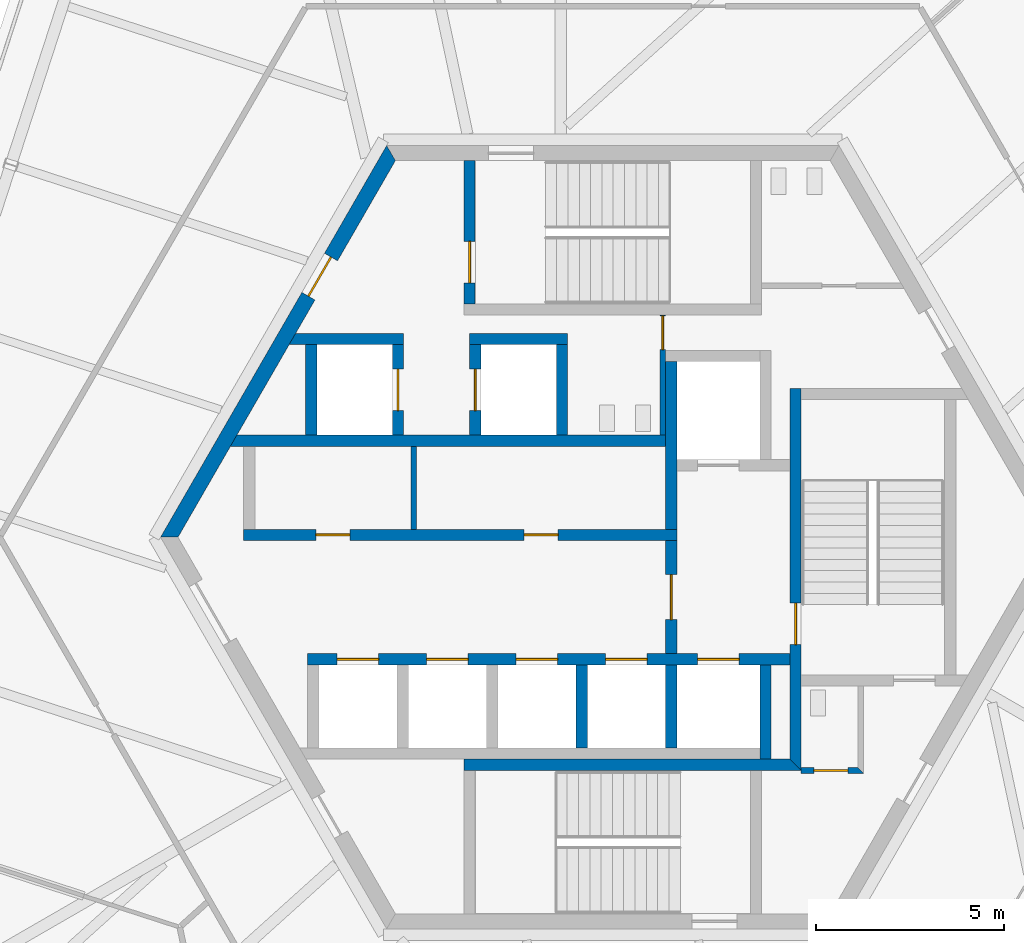
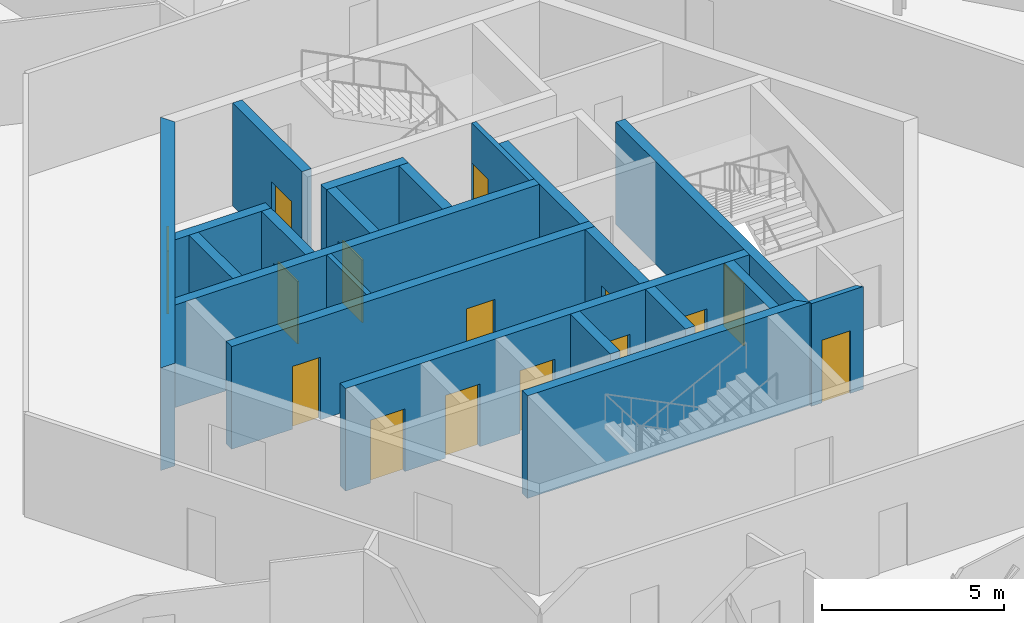
# One storey, part 11 of 17: 21 walls, 15 doors, 15 openings.
"""IFC4 building model written with IfcOpenShell, lengths in metres."""

import ifcopenshell
import ifcopenshell.guid

model = None  # the IFC model being written
_history = None  # IfcOwnerHistory: only IFC2X3 demands one
_inside = {}  # id of a spatial element -> (the spatial element, [elements in it])
_under = {}  # id of a project, library or spatial element -> (it, [spatial elements below it])
_declared = {}  # id of a project -> (the project, [libraries it declares])
_typed = {}  # id of a type object -> (the type object, [elements of that type])
_made_of = {}  # id of a material, layer set ... -> (it, [elements and type objects made of it])


def new_model(schema):
    """Start an empty IFC model of exactly this schema.

    Asked for "IFC4X3", IfcOpenShell would pick the latest addendum, in which some entities
    have other attributes; the version numbers below select the first issue.
    IFC2X3 requires an IfcOwnerHistory on every rooted entity: one is made here for all.
    """
    global model, _history
    if schema == "IFC4X3":
        model = ifcopenshell.file(schema_version=(4, 3, 0, 0))
    else:
        model = ifcopenshell.file(schema=schema)
    _inside.clear()
    _under.clear()
    _declared.clear()
    _typed.clear()
    _made_of.clear()
    _history = None
    if model.schema == "IFC2X3":
        org = make("IfcOrganization", Name="unknown")
        user = make(
            "IfcPersonAndOrganization",
            ThePerson=make("IfcPerson", FamilyName="unknown"),
            TheOrganization=org,
        )
        app = make(
            "IfcApplication",
            ApplicationDeveloper=org,
            Version="unknown",
            ApplicationFullName="unknown",
            ApplicationIdentifier="unknown",
        )
        _history = make(
            "IfcOwnerHistory",
            OwningUser=user,
            OwningApplication=app,
            ChangeAction="ADDED",
            CreationDate=0,
        )
    return model


def make(cls, **values):
    """One entity of the class cls with the attributes given. An attribute that is None is left unset."""
    return model.create_entity(
        cls, **{name: value for name, value in values.items() if value is not None}
    )


def rooted(cls, **values):
    """An entity with a GlobalId (a new one), such as an element, a storey or a relation."""
    return make(cls, GlobalId=ifcopenshell.guid.new(), OwnerHistory=_history, **values)


def si_unit(unit_type, name, prefix=None):
    """IfcSIUnit, for example si_unit("LENGTHUNIT", "METRE", prefix="MILLI")."""
    return make("IfcSIUnit", UnitType=unit_type, Prefix=prefix, Name=name)


def assignment(units):
    """IfcUnitAssignment: the units of a project."""
    return None if units is None else make("IfcUnitAssignment", Units=units)


def point(xyz):
    """IfcCartesianPoint."""
    return None if xyz is None else make("IfcCartesianPoint", Coordinates=xyz)


def direction(xyz):
    """IfcDirection."""
    return None if xyz is None else make("IfcDirection", DirectionRatios=xyz)


def frame(location, z_axis=None, x_axis=None):
    """IfcAxis2Placement3D, a coordinate frame: its origin and axes. An axis left out is left unset."""
    return make(
        "IfcAxis2Placement3D",
        Location=point(location),
        Axis=direction(z_axis),
        RefDirection=direction(x_axis),
    )


def frame_2d(location, x_axis=None):
    """IfcAxis2Placement2D, a coordinate frame in the plane: its origin and x axis."""
    return make(
        "IfcAxis2Placement2D", Location=point(location), RefDirection=direction(x_axis)
    )


def origin():
    """The frame at (0, 0, 0) with its axes left unset."""
    return frame((0.0, 0.0, 0.0))


def place(relative_to, where):
    """IfcLocalPlacement: puts the frame where relative to a parent placement (None: the world)."""
    return make(
        "IfcLocalPlacement", PlacementRelTo=relative_to, RelativePlacement=where
    )


def context(
    kind, dimensions, precision=None, world=None, true_north=None, identifier=None
):
    """IfcGeometricRepresentationContext, for example the 3D "Model" context."""
    return make(
        "IfcGeometricRepresentationContext",
        ContextIdentifier=identifier,
        ContextType=kind,
        CoordinateSpaceDimension=dimensions,
        Precision=precision,
        WorldCoordinateSystem=world,
        TrueNorth=true_north,
    )


def subcontext(parent, identifier, kind, view, scale=None):
    """IfcGeometricRepresentationSubContext, for example "Body" below "Model"."""
    return make(
        "IfcGeometricRepresentationSubContext",
        ContextIdentifier=identifier,
        ContextType=kind,
        ParentContext=parent,
        TargetScale=scale,
        TargetView=view,
    )


def project(units=None, contexts=None):
    """IfcProject with its units and contexts."""
    return rooted(
        "IfcProject",
        Name="project",
        RepresentationContexts=contexts,
        UnitsInContext=assignment(units),
    )


def spatial(cls, under=None, at=None, **own):
    """A site, building, storey or space (cls), placed at a placement, below another one or the project."""
    s = rooted(cls, ObjectPlacement=at, **own)
    if under is not None:
        _under.setdefault(under.id(), (under, []))[1].append(s)
    return s


def polyline(points):
    """IfcPolyline through the points."""
    return make("IfcPolyline", Points=[point(p) for p in points])


def profile(cls, at=None, kind="AREA", **sizes):
    """A parametric profile (cls). Its sizes go by their IFC names, for example OverallWidth=200.0."""
    return make(cls, ProfileType=kind, Position=at, **sizes)


def rectangle(**sizes):
    """IfcRectangleProfileDef."""
    return profile("IfcRectangleProfileDef", **sizes)


def outline(outer, holes=None, kind="AREA"):
    """IfcArbitraryClosedProfileDef: a profile drawn as a closed curve; with holes, ...WithVoids."""
    if holes is None:
        return make("IfcArbitraryClosedProfileDef", ProfileType=kind, OuterCurve=outer)
    return make(
        "IfcArbitraryProfileDefWithVoids",
        ProfileType=kind,
        OuterCurve=outer,
        InnerCurves=holes,
    )


def extrude(swept, where, along, depth):
    """IfcExtrudedAreaSolid: the profile swept, set in the frame where, extruded along a direction by depth."""
    return make(
        "IfcExtrudedAreaSolid",
        SweptArea=swept,
        Position=where,
        ExtrudedDirection=direction(along),
        Depth=depth,
    )


def shape(context_of_items, identifier, shape_type, items):
    """IfcShapeRepresentation: the items that make up one representation, for example the "Body"."""
    return make(
        "IfcShapeRepresentation",
        ContextOfItems=context_of_items,
        RepresentationIdentifier=identifier,
        RepresentationType=shape_type,
        Items=items,
    )


def source(mapping_origin, context_of_items, identifier, shape_type, items):
    """IfcRepresentationMap: a shape defined once, which mapped items show again and again."""
    return make(
        "IfcRepresentationMap",
        MappingOrigin=mapping_origin,
        MappedRepresentation=shape(context_of_items, identifier, shape_type, items),
    )


def transform(
    local_origin,
    x_axis=None,
    y_axis=None,
    z_axis=None,
    scale=None,
    scale2=None,
    scale3=None,
    uniform=True,
):
    """IfcCartesianTransformationOperator3D, or its non-uniform kind. x_axis, y_axis, z_axis: its Axis1, 2, 3."""
    if uniform:
        return make(
            "IfcCartesianTransformationOperator3D",
            Axis1=direction(x_axis),
            Axis2=direction(y_axis),
            LocalOrigin=point(local_origin),
            Scale=scale,
            Axis3=direction(z_axis),
        )
    return make(
        "IfcCartesianTransformationOperator3DnonUniform",
        Axis1=direction(x_axis),
        Axis2=direction(y_axis),
        LocalOrigin=point(local_origin),
        Scale=scale,
        Axis3=direction(z_axis),
        Scale2=scale2,
        Scale3=scale3,
    )


def mapped(mapping_source, mapping_target):
    """IfcMappedItem: shows the shape of a source again, moved by a transform."""
    return make(
        "IfcMappedItem", MappingSource=mapping_source, MappingTarget=mapping_target
    )


def material(Name=None, Category=None):
    """IfcMaterial."""
    return make("IfcMaterial", Name=Name, Category=Category)


def layer(
    of_material, thickness, ventilated=None, Name=None, Category=None, Priority=None
):
    """IfcMaterialLayer: one layer of a wall or slab, of a material (None: an air gap)."""
    return make(
        "IfcMaterialLayer",
        Material=of_material,
        LayerThickness=thickness,
        IsVentilated=ventilated,
        Name=Name,
        Category=Category,
        Priority=Priority,
    )


def layer_set(layers, Name=None):
    """IfcMaterialLayerSet."""
    return make("IfcMaterialLayerSet", MaterialLayers=layers, LayerSetName=Name)


def made_of(thing, what):
    """Note that an element or type object is made of a material, layer set ...; save() writes the relation."""
    if what is not None:
        _made_of.setdefault(what.id(), (what, []))[1].append(thing)
    return thing


def type_object(cls, material=None, **own):
    """A type object (cls), such as IfcWallType, which elements share."""
    return made_of(rooted(cls, **own), material)


def element(
    cls,
    number,
    at=None,
    inside=None,
    cuts=None,
    type_object=None,
    material=None,
    context=None,
    identifier="Body",
    shape_type=None,
    held_by="IfcProductDefinitionShape",
    body=None,
    shapes=None,
    **own,
):
    """One element of the class cls, such as IfcWall. Its Tag is "e" and its number.

    at: its placement. inside: the storey or other place that contains it. cuts: it is an
    opening in that element (IfcRelVoidsElement). A single representation is given by context,
    identifier, shape_type and body (its items); several are given by shapes. held_by: the class
    of the entity that holds the representations. save() writes the other relations.
    """
    e = rooted(cls, Tag="e%d" % number, ObjectPlacement=at, **own)
    if body is not None:
        shapes = [shape(context, identifier, shape_type, body)]
    if shapes is not None:
        e.Representation = make(held_by, Representations=shapes)
    if inside is not None:
        _inside.setdefault(inside.id(), (inside, []))[1].append(e)
    if cuts is not None:
        rooted(
            "IfcRelVoidsElement", RelatingBuildingElement=cuts, RelatedOpeningElement=e
        )
    if type_object is not None:
        _typed.setdefault(type_object.id(), (type_object, []))[1].append(e)
    return made_of(e, material)


def fill(opening, filler):
    """IfcRelFillsElement: the door or window that sits in an opening."""
    return rooted(
        "IfcRelFillsElement",
        RelatingOpeningElement=opening,
        RelatedBuildingElement=filler,
    )


def aggregate(whole, parts):
    """IfcRelAggregates: a whole, such as a stair, and the parts it consists of."""
    return rooted("IfcRelAggregates", RelatingObject=whole, RelatedObjects=parts)


def save(model, path):
    """Write the relations noted so far, then the file.

    IfcRelAggregates (storeys below a building ...), IfcRelContainedInSpatialStructure (elements
    in a storey), IfcRelDefinesByType, IfcRelAssociatesMaterial and IfcRelDeclares: one each for
    every whole, place, type object, material and project.
    """
    for whole, parts in _under.values():
        aggregate(whole, parts)
    for where, things in _inside.values():
        rooted(
            "IfcRelContainedInSpatialStructure",
            RelatedElements=things,
            RelatingStructure=where,
        )
    for kind, things in _typed.values():
        rooted("IfcRelDefinesByType", RelatedObjects=things, RelatingType=kind)
    for what, things in _made_of.values():
        rooted("IfcRelAssociatesMaterial", RelatedObjects=things, RelatingMaterial=what)
    for by, libraries in _declared.values():
        rooted("IfcRelDeclares", RelatingContext=by, RelatedDefinitions=libraries)
    model.write(path)


model = new_model("IFC4")

# Units and contexts
model_context = context("Model", 3, precision=1e-05, world=origin(), true_north=direction((0.0, 1.0)))
body_context = subcontext(model_context, "Body", "Model", "MODEL_VIEW")
ifc_project = project(units=[si_unit("LENGTHUNIT", "METRE"), si_unit("AREAUNIT", "SQUARE_METRE"), si_unit("VOLUMEUNIT", "CUBIC_METRE"), si_unit("PLANEANGLEUNIT", "RADIAN"), si_unit("MASSUNIT", "GRAM", prefix="KILO")], contexts=[model_context])

# Site, building, storey
site_placement = place(None, origin())
site = spatial("IfcSite", under=ifc_project, at=site_placement, CompositionType="ELEMENT")
building_placement = place(site_placement, origin())
building = spatial("IfcBuilding", under=site, at=building_placement, Name="Triune Harvest Tower", CompositionType="ELEMENT")
storey_placement = place(building_placement, frame((0.0, 0.0, 273.89990234375)))
storey = spatial("IfcBuildingStorey", under=building, at=storey_placement, Name="L72", CompositionType="ELEMENT", Elevation=273.89990234375)

# Wall, opening, door
ifc_material_1 = material(Name="Concrete 70 MPa", Category="concrete")
ifc_layer_1 = layer(ifc_material_1, 0.39990234375)
ifc_layer_set_1 = layer_set([ifc_layer_1], Name="Concrete 70 MPa")
wall_type_1 = type_object("IfcWallType", Name="Core wall 400", PredefinedType="SHEAR", material=ifc_layer_set_1)
shared_shape_1 = source(origin(), body_context, "Body", "SweptSolid", [
    extrude(outline(polyline([(-0.115478515625, -0.199951171875), (11.884521484375, -0.199951171875), (11.653564453125, 0.199951171875), (0.115478515625, 0.199951171875), (-0.115478515625, -0.199951171875)])), origin(), (0.0, 0.0, 1.0), 3.440185546875),
])
wall_1_placement = place(storey_placement, frame((-5.884521484375, 10.1923828125, 0.0), z_axis=(0.0, 0.0, 1.0), x_axis=(-0.499996592174, -0.866027371285, 0.0)))
wall_1 = element("IfcWall", 1, at=wall_1_placement, inside=storey, type_object=wall_type_1, Name="Hexagon 2 wall", PredefinedType="SHEAR", context=body_context, shape_type="MappedRepresentation", body=[
    mapped(shared_shape_1, transform((0.0, 0.0, 0.0), scale=1.0)),
])
opening_1_placement = place(wall_1_placement, frame((3.1845703125, 0.0, 0.0)))
opening_1 = element("IfcOpeningElement", 2, at=opening_1_placement, cuts=wall_1, Name="Opening CD-SVP", PredefinedType="OPENING", context=body_context, shape_type="SweptSolid", body=[
    extrude(rectangle(XDim=1.199951171875, YDim=2.10009765625, at=frame_2d((0.60009765625, 1.050048828125))), frame((0.0, 0.2099609375, 0.0), z_axis=(0.0, -1.0, 0.0), x_axis=(1.0, 0.0, 0.0)), (0.0, 0.0, 1.0), 0.419921875),
])
ifc_material_2 = material(Name="Steel S235", Category="steel")
door_type_1 = type_object("IfcDoorType", Name="Service door 1200 FD120", OperationType="SINGLE_SWING_LEFT", PredefinedType="DOOR", material=ifc_material_2)
door_1_placement = place(opening_1_placement, frame((1.199951171875, 0.0, 0.0), z_axis=(0.0, 0.0, 1.0), x_axis=(-1.0, 0.0, 0.0)))
door_1 = element("IfcDoor", 3, at=door_1_placement, inside=storey, type_object=door_type_1, Name="Door CD-SVP", OperationType="SINGLE_SWING_RIGHT", OverallHeight=2.10009765625, OverallWidth=1.199951171875, PredefinedType="DOOR", context=body_context, shape_type="SweptSolid", body=[
    extrude(rectangle(XDim=1.199951171875, YDim=2.10009765625, at=frame_2d((0.60009765625, 1.050048828125))), frame((0.0, 0.02490234375, 0.0), z_axis=(0.0, -1.0, 0.0), x_axis=(1.0, 0.0, 0.0)), (0.0, 0.0, 1.0), 0.050048828125),
])
fill(opening_1, door_1)

# Wall, openings, doors
ifc_material_3 = material(Name="Concrete 70 MPa", Category="concrete")
ifc_layer_2 = layer(ifc_material_3, 0.300048828125)
ifc_layer_set_2 = layer_set([ifc_layer_2], Name="Concrete 70 MPa")
wall_type_2 = type_object("IfcWallType", Name="Core wall 300", PredefinedType="SHEAR", material=ifc_layer_set_2)
shared_shape_2 = source(origin(), body_context, "Body", "SweptSolid", [
    extrude(rectangle(XDim=11.5, YDim=0.300048828125, at=frame_2d((5.75, 0.0))), origin(), (0.0, 0.0, 1.0), 3.440185546875),
])
wall_2_placement = place(storey_placement, frame((-9.800048828125, 0.06005859375, 0.0), z_axis=(0.0, 0.0, 1.0), x_axis=(1.0, 0.0, 0.0)))
wall_2 = element("IfcWall", 4, at=wall_2_placement, inside=storey, type_object=wall_type_2, Name="North front wall", PredefinedType="SHEAR", context=body_context, shape_type="MappedRepresentation", body=[
    mapped(shared_shape_2, transform((0.0, 0.0, 0.0), scale=1.0)),
])
opening_2_placement = place(wall_2_placement, frame((1.922607421875, 0.0, 0.0)))
opening_2 = element("IfcOpeningElement", 5, at=opening_2_placement, cuts=wall_2, Name="Opening CD-RN1", PredefinedType="OPENING", context=body_context, shape_type="SweptSolid", body=[
    extrude(rectangle(XDim=0.89990234375, YDim=2.10009765625, at=frame_2d((0.449951171875, 1.050048828125))), frame((0.0, 0.16015625, 0.0), z_axis=(0.0, -1.0, 0.0), x_axis=(1.0, 0.0, 0.0)), (0.0, 0.0, 1.0), 0.320068359375),
])
opening_3_placement = place(wall_2_placement, frame((7.447509765625, 0.0, 0.0)))
opening_3 = element("IfcOpeningElement", 6, at=opening_3_placement, cuts=wall_2, Name="Opening CD-RN2", PredefinedType="OPENING", context=body_context, shape_type="SweptSolid", body=[
    extrude(rectangle(XDim=0.89990234375, YDim=2.10009765625, at=frame_2d((0.449951171875, 1.050048828125))), frame((0.0, 0.16015625, 0.0), z_axis=(0.0, -1.0, 0.0), x_axis=(1.0, 0.0, 0.0)), (0.0, 0.0, 1.0), 0.320068359375),
])
ifc_material_4 = material(Name="Steel S235", Category="steel")
door_type_2 = type_object("IfcDoorType", Name="Riser door 900 FD120", OperationType="SINGLE_SWING_LEFT", PredefinedType="DOOR", material=ifc_material_4)
door_2_placement = place(opening_2_placement, frame((0.89990234375, 0.0, 0.0), z_axis=(0.0, 0.0, 1.0), x_axis=(-1.0, 0.0, 0.0)))
door_2 = element("IfcDoor", 7, at=door_2_placement, inside=storey, type_object=door_type_2, Name="Door CD-RN1", OperationType="SINGLE_SWING_RIGHT", OverallHeight=2.10009765625, OverallWidth=0.89990234375, PredefinedType="DOOR", context=body_context, shape_type="SweptSolid", body=[
    extrude(rectangle(XDim=0.89990234375, YDim=2.10009765625, at=frame_2d((0.449951171875, 1.050048828125))), frame((0.0, 0.02490234375, 0.0), z_axis=(0.0, -1.0, 0.0), x_axis=(1.0, 0.0, 0.0)), (0.0, 0.0, 1.0), 0.050048828125),
])
fill(opening_2, door_2)
door_3_placement = place(opening_3_placement, frame((0.89990234375, 0.0, 0.0), z_axis=(0.0, 0.0, 1.0), x_axis=(-1.0, 0.0, 0.0)))
door_3 = element("IfcDoor", 8, at=door_3_placement, inside=storey, type_object=door_type_2, Name="Door CD-RN2", OperationType="SINGLE_SWING_RIGHT", OverallHeight=2.10009765625, OverallWidth=0.89990234375, PredefinedType="DOOR", context=body_context, shape_type="SweptSolid", body=[
    extrude(rectangle(XDim=0.89990234375, YDim=2.10009765625, at=frame_2d((0.449951171875, 1.050048828125))), frame((0.0, 0.02490234375, 0.0), z_axis=(0.0, -1.0, 0.0), x_axis=(1.0, 0.0, 0.0)), (0.0, 0.0, 1.0), 0.050048828125),
])
fill(opening_3, door_3)

# Walls
shared_shape_3 = source(origin(), body_context, "Body", "SweptSolid", [
    extrude(outline(polyline([(11.199951171875, -0.14990234375), (-0.34912109375, -0.14990234375), (-0.17578125, 0.14990234375), (11.199951171875, 0.14990234375), (11.199951171875, -0.14990234375)])), origin(), (0.0, 0.0, 1.0), 3.440185546875),
])
wall_3_placement = place(storey_placement, frame((-9.800048828125, 2.56005859375, 0.0), z_axis=(0.0, 0.0, 1.0), x_axis=(1.0, 0.0, 0.0)))
element("IfcWall", 9, at=wall_3_placement, inside=storey, type_object=wall_type_2, Name="North back wall", PredefinedType="SHEAR", context=body_context, shape_type="MappedRepresentation", body=[
    mapped(shared_shape_3, transform((0.0, 0.0, 0.0), scale=1.0)),
])
shared_shape_4 = source(origin(), body_context, "Body", "SweptSolid", [
    extrude(rectangle(XDim=2.5, YDim=0.300048828125, at=frame_2d((1.25, 0.0))), origin(), (0.0, 0.0, 1.0), 3.440185546875),
])
wall_4_placement = place(storey_placement, frame((4.050048828125, -5.889892578125, 0.0), z_axis=(0.0, 0.0, 1.0), x_axis=(0.0, 1.0, 0.0)))
element("IfcWall", 10, at=wall_4_placement, inside=storey, type_object=wall_type_2, Name="Ff2 east wall", PredefinedType="SHEAR", context=body_context, shape_type="MappedRepresentation", body=[
    mapped(shared_shape_4, transform((0.0, 0.0, 0.0), scale=1.0)),
])
shared_shape_5 = source(origin(), body_context, "Body", "SweptSolid", [
    extrude(rectangle(XDim=4.449951171875, YDim=0.300048828125, at=frame_2d((2.22509765625, 0.0))), origin(), (0.0, 0.0, 1.0), 3.440185546875),
])
wall_5_placement = place(storey_placement, frame((1.550048828125, 0.2099609375, 0.0), z_axis=(0.0, 0.0, 1.0), x_axis=(0.0, 1.0, 0.0)))
element("IfcWall", 11, at=wall_5_placement, inside=storey, type_object=wall_type_2, Name="Ff1 west wall", PredefinedType="SHEAR", context=body_context, shape_type="MappedRepresentation", body=[
    mapped(shared_shape_5, transform((0.0, 0.0, 0.0), scale=1.0)),
])

# Wall, opening, door
shared_shape_6 = source(origin(), body_context, "Body", "SweptSolid", [
    extrude(rectangle(XDim=3.0, YDim=0.300048828125, at=frame_2d((1.5, 0.0))), origin(), (0.0, 0.0, 1.0), 3.440185546875),
])
wall_6_placement = place(storey_placement, frame((1.550048828125, -3.090087890625, 0.0), z_axis=(0.0, 0.0, 1.0), x_axis=(0.0, 1.0, 0.0)))
wall_6 = element("IfcWall", 12, at=wall_6_placement, inside=storey, type_object=wall_type_2, Name="Ff lobby west wall", PredefinedType="SHEAR", context=body_context, shape_type="MappedRepresentation", body=[
    mapped(shared_shape_6, transform((0.0, 0.0, 0.0), scale=1.0)),
])
opening_4_placement = place(wall_6_placement, frame((0.89990234375, 0.0, 0.0)))
opening_4 = element("IfcOpeningElement", 13, at=opening_4_placement, cuts=wall_6, Name="Opening CD-FL", PredefinedType="OPENING", context=body_context, shape_type="SweptSolid", body=[
    extrude(rectangle(XDim=1.199951171875, YDim=2.10009765625, at=frame_2d((0.60009765625, 1.050048828125))), frame((0.0, 0.16015625, 0.0), z_axis=(0.0, -1.0, 0.0), x_axis=(1.0, 0.0, 0.0)), (0.0, 0.0, 1.0), 0.320068359375),
])
ifc_material_5 = material(Name="Steel S235", Category="steel")
door_type_3 = type_object("IfcDoorType", Name="Firefighters' lobby door 1200 FD120", OperationType="SINGLE_SWING_LEFT", PredefinedType="DOOR", material=ifc_material_5)
door_4_placement = place(opening_4_placement, frame((1.199951171875, 0.0, 0.0), z_axis=(0.0, 0.0, 1.0), x_axis=(-1.0, 0.0, 0.0)))
door_4 = element("IfcDoor", 14, at=door_4_placement, inside=storey, type_object=door_type_3, Name="Door CD-FL", OperationType="SINGLE_SWING_RIGHT", OverallHeight=2.10009765625, OverallWidth=1.199951171875, PredefinedType="DOOR", context=body_context, shape_type="SweptSolid", body=[
    extrude(rectangle(XDim=1.199951171875, YDim=2.10009765625, at=frame_2d((0.60009765625, 1.050048828125))), frame((0.0, 0.02490234375, 0.0), z_axis=(0.0, -1.0, 0.0), x_axis=(1.0, 0.0, 0.0)), (0.0, 0.0, 1.0), 0.050048828125),
])
fill(opening_4, door_4)

# Wall, openings, doors
shared_shape_7 = source(origin(), body_context, "Body", "SweptSolid", [
    extrude(rectangle(XDim=12.800048828125, YDim=0.300048828125, at=frame_2d((6.39990234375, 0.0))), origin(), (0.0, 0.0, 1.0), 3.440185546875),
])
wall_7_placement = place(storey_placement, frame((-8.10009765625, -3.239990234375, 0.0), z_axis=(0.0, 0.0, 1.0), x_axis=(1.0, 0.0, 0.0)))
wall_7 = element("IfcWall", 15, at=wall_7_placement, inside=storey, type_object=wall_type_2, Name="South front wall", PredefinedType="SHEAR", context=body_context, shape_type="MappedRepresentation", body=[
    mapped(shared_shape_7, transform((0.0, 0.0, 0.0), scale=1.0)),
])
opening_5_placement = place(wall_7_placement, frame((0.78759765625, 0.0, 0.0)))
opening_5 = element("IfcOpeningElement", 16, at=opening_5_placement, cuts=wall_7, Name="Opening LD-HR1-72", PredefinedType="OPENING", context=body_context, shape_type="SweptSolid", body=[
    extrude(rectangle(XDim=1.10009765625, YDim=2.10009765625, at=frame_2d((0.550048828125, 1.050048828125))), frame((0.0, 0.16015625, 0.0), z_axis=(0.0, -1.0, 0.0), x_axis=(1.0, 0.0, 0.0)), (0.0, 0.0, 1.0), 0.320068359375),
])
opening_6_placement = place(wall_7_placement, frame((3.16259765625, 0.0, 0.0)))
opening_6 = element("IfcOpeningElement", 17, at=opening_6_placement, cuts=wall_7, Name="Opening LD-HR2-72", PredefinedType="OPENING", context=body_context, shape_type="SweptSolid", body=[
    extrude(rectangle(XDim=1.10009765625, YDim=2.10009765625, at=frame_2d((0.550048828125, 1.050048828125))), frame((0.0, 0.16015625, 0.0), z_axis=(0.0, -1.0, 0.0), x_axis=(1.0, 0.0, 0.0)), (0.0, 0.0, 1.0), 0.320068359375),
])
opening_7_placement = place(wall_7_placement, frame((5.53759765625, 0.0, 0.0)))
opening_7 = element("IfcOpeningElement", 18, at=opening_7_placement, cuts=wall_7, Name="Opening LD-HR3-72", PredefinedType="OPENING", context=body_context, shape_type="SweptSolid", body=[
    extrude(rectangle(XDim=1.10009765625, YDim=2.10009765625, at=frame_2d((0.550048828125, 1.050048828125))), frame((0.0, 0.16015625, 0.0), z_axis=(0.0, -1.0, 0.0), x_axis=(1.0, 0.0, 0.0)), (0.0, 0.0, 1.0), 0.320068359375),
])
opening_8_placement = place(wall_7_placement, frame((7.91259765625, 0.0, 0.0)))
opening_8 = element("IfcOpeningElement", 19, at=opening_8_placement, cuts=wall_7, Name="Opening LD-HR4-72", PredefinedType="OPENING", context=body_context, shape_type="SweptSolid", body=[
    extrude(rectangle(XDim=1.10009765625, YDim=2.10009765625, at=frame_2d((0.550048828125, 1.050048828125))), frame((0.0, 0.16015625, 0.0), z_axis=(0.0, -1.0, 0.0), x_axis=(1.0, 0.0, 0.0)), (0.0, 0.0, 1.0), 0.320068359375),
])
opening_9_placement = place(wall_7_placement, frame((10.35009765625, 0.0, 0.0)))
opening_9 = element("IfcOpeningElement", 20, at=opening_9_placement, cuts=wall_7, Name="Opening LD-FF2-72", PredefinedType="OPENING", context=body_context, shape_type="SweptSolid", body=[
    extrude(rectangle(XDim=1.10009765625, YDim=2.10009765625, at=frame_2d((0.550048828125, 1.050048828125))), frame((0.0, 0.16015625, 0.0), z_axis=(0.0, -1.0, 0.0), x_axis=(1.0, 0.0, 0.0)), (0.0, 0.0, 1.0), 0.320068359375),
])
ifc_material_6 = material(Name="Stainless steel AISI 304", Category="steel")
door_type_4 = type_object("IfcDoorType", Name="Landing door 1100 x 2100", OperationType="DOUBLE_DOOR_SLIDING", PredefinedType="DOOR", material=ifc_material_6)
door_5_placement = place(opening_5_placement, origin())
door_5 = element("IfcDoor", 21, at=door_5_placement, inside=storey, type_object=door_type_4, Name="Door LD-HR1-72", OperationType="DOUBLE_DOOR_SLIDING", OverallHeight=2.10009765625, OverallWidth=1.10009765625, PredefinedType="DOOR", context=body_context, shape_type="SweptSolid", body=[
    extrude(rectangle(XDim=1.10009765625, YDim=2.10009765625, at=frame_2d((0.550048828125, 1.050048828125))), frame((0.0, 0.02490234375, 0.0), z_axis=(0.0, -1.0, 0.0), x_axis=(1.0, 0.0, 0.0)), (0.0, 0.0, 1.0), 0.050048828125),
])
fill(opening_5, door_5)
door_6_placement = place(opening_6_placement, origin())
door_6 = element("IfcDoor", 22, at=door_6_placement, inside=storey, type_object=door_type_4, Name="Door LD-HR2-72", OperationType="DOUBLE_DOOR_SLIDING", OverallHeight=2.10009765625, OverallWidth=1.10009765625, PredefinedType="DOOR", context=body_context, shape_type="SweptSolid", body=[
    extrude(rectangle(XDim=1.10009765625, YDim=2.10009765625, at=frame_2d((0.550048828125, 1.050048828125))), frame((0.0, 0.02490234375, 0.0), z_axis=(0.0, -1.0, 0.0), x_axis=(1.0, 0.0, 0.0)), (0.0, 0.0, 1.0), 0.050048828125),
])
fill(opening_6, door_6)
door_7_placement = place(opening_7_placement, origin())
door_7 = element("IfcDoor", 23, at=door_7_placement, inside=storey, type_object=door_type_4, Name="Door LD-HR3-72", OperationType="DOUBLE_DOOR_SLIDING", OverallHeight=2.10009765625, OverallWidth=1.10009765625, PredefinedType="DOOR", context=body_context, shape_type="SweptSolid", body=[
    extrude(rectangle(XDim=1.10009765625, YDim=2.10009765625, at=frame_2d((0.550048828125, 1.050048828125))), frame((0.0, 0.02490234375, 0.0), z_axis=(0.0, -1.0, 0.0), x_axis=(1.0, 0.0, 0.0)), (0.0, 0.0, 1.0), 0.050048828125),
])
fill(opening_7, door_7)
door_8_placement = place(opening_8_placement, origin())
door_8 = element("IfcDoor", 24, at=door_8_placement, inside=storey, type_object=door_type_4, Name="Door LD-HR4-72", OperationType="DOUBLE_DOOR_SLIDING", OverallHeight=2.10009765625, OverallWidth=1.10009765625, PredefinedType="DOOR", context=body_context, shape_type="SweptSolid", body=[
    extrude(rectangle(XDim=1.10009765625, YDim=2.10009765625, at=frame_2d((0.550048828125, 1.050048828125))), frame((0.0, 0.02490234375, 0.0), z_axis=(0.0, -1.0, 0.0), x_axis=(1.0, 0.0, 0.0)), (0.0, 0.0, 1.0), 0.050048828125),
])
fill(opening_8, door_8)
door_9_placement = place(opening_9_placement, origin())
door_9 = element("IfcDoor", 25, at=door_9_placement, inside=storey, type_object=door_type_4, Name="Door LD-FF2-72", OperationType="DOUBLE_DOOR_SLIDING", OverallHeight=2.10009765625, OverallWidth=1.10009765625, PredefinedType="DOOR", context=body_context, shape_type="SweptSolid", body=[
    extrude(rectangle(XDim=1.10009765625, YDim=2.10009765625, at=frame_2d((0.550048828125, 1.050048828125))), frame((0.0, 0.02490234375, 0.0), z_axis=(0.0, -1.0, 0.0), x_axis=(1.0, 0.0, 0.0)), (0.0, 0.0, 1.0), 0.050048828125),
])
fill(opening_9, door_9)

# Walls
shared_shape_8 = source(origin(), body_context, "Body", "SweptSolid", [
    extrude(rectangle(XDim=2.2001953125, YDim=0.300048828125, at=frame_2d((1.10009765625, 0.0))), origin(), (0.0, 0.0, 1.0), 3.440185546875),
])
for number, where, z_axis, x_axis, name in (
    (26, (1.550048828125, -5.590087890625, 0.0), (0.0, 0.0, 1.0), (0.0, 1.0, 0.0), "Ff2 west wall"),
    (27, (-0.824951171875, -5.590087890625, 0.0), (0.0, 0.0, 1.0), (0.0, 1.0, 0.0), "South cross 3 wall"),
):
    element("IfcWall", number, at=place(storey_placement, frame(where, z_axis=z_axis, x_axis=x_axis)), inside=storey, type_object=wall_type_2, Name=name, PredefinedType="SHEAR", context=body_context, shape_type="MappedRepresentation", body=[
        mapped(shared_shape_8, transform((0.0, 0.0, 0.0), scale=1.0)),
    ])

# Wall, opening, door
shared_shape_9 = source(origin(), body_context, "Body", "SweptSolid", [
    extrude(outline(polyline([(-0.14990234375, -0.14990234375), (9.989990234375, -0.14990234375), (9.989990234375, 0.14990234375), (0.14990234375, 0.14990234375), (-0.14990234375, -0.14990234375)])), origin(), (0.0, 0.0, 1.0), 3.440185546875),
])
wall_8_placement = place(storey_placement, frame((4.85009765625, -6.0400390625, 0.0), z_axis=(0.0, 0.0, 1.0), x_axis=(0.0, 1.0, 0.0)))
wall_8 = element("IfcWall", 28, at=wall_8_placement, inside=storey, type_object=wall_type_2, Name="Stair e west wall", PredefinedType="SHEAR", context=body_context, shape_type="MappedRepresentation", body=[
    mapped(shared_shape_9, transform((0.0, 0.0, 0.0), scale=1.0)),
])
opening_10_placement = place(wall_8_placement, frame((3.18994140625, 0.0, 0.0)))
opening_10 = element("IfcOpeningElement", 29, at=opening_10_placement, cuts=wall_8, Name="Opening CD-S3L", PredefinedType="OPENING", context=body_context, shape_type="SweptSolid", body=[
    extrude(rectangle(XDim=1.10009765625, YDim=2.10009765625, at=frame_2d((0.550048828125, 1.050048828125))), frame((0.0, 0.16015625, 0.0), z_axis=(0.0, -1.0, 0.0), x_axis=(1.0, 0.0, 0.0)), (0.0, 0.0, 1.0), 0.320068359375),
])
ifc_material_7 = material(Name="Steel S235", Category="steel")
door_type_5 = type_object("IfcDoorType", Name="Stair door 1100 FD120", OperationType="SINGLE_SWING_LEFT", PredefinedType="DOOR", material=ifc_material_7)
door_10_placement = place(opening_10_placement, frame((1.10009765625, 0.0, 0.0), z_axis=(0.0, 0.0, 1.0), x_axis=(-1.0, 0.0, 0.0)))
door_10 = element("IfcDoor", 30, at=door_10_placement, inside=storey, type_object=door_type_5, Name="Door CD-S3L", OperationType="SINGLE_SWING_RIGHT", OverallHeight=2.10009765625, OverallWidth=1.10009765625, PredefinedType="DOOR", context=body_context, shape_type="SweptSolid", body=[
    extrude(rectangle(XDim=1.10009765625, YDim=2.10009765625, at=frame_2d((0.550048828125, 1.050048828125))), frame((0.0, 0.02490234375, 0.0), z_axis=(0.0, -1.0, 0.0), x_axis=(1.0, 0.0, 0.0)), (0.0, 0.0, 1.0), 0.050048828125),
])
fill(opening_10, door_10)

shared_shape_10 = source(origin(), body_context, "Body", "SweptSolid", [
    extrude(outline(polyline([(0.0, -0.14990234375), (0.0, 0.14990234375), (3.80419921875, 0.14990234375), (3.80419921875, -0.14990234375), (0.0, -0.14990234375)])), origin(), (0.0, 0.0, 1.0), 3.440185546875),
])
wall_9_placement = place(storey_placement, frame((-3.800048828125, 6.18994140625, 0.0), z_axis=(0.0, 0.0, 1.0), x_axis=(0.0, 1.0, 0.0)))
wall_9 = element("IfcWall", 31, at=wall_9_placement, inside=storey, type_object=wall_type_2, Name="Stair n west wall", PredefinedType="SHEAR", context=body_context, shape_type="MappedRepresentation", body=[
    mapped(shared_shape_10, transform((0.0, 0.0, 0.0), scale=1.0)),
])
opening_11_placement = place(wall_9_placement, frame((0.56005859375, 0.0, 0.0)))
opening_11 = element("IfcOpeningElement", 32, at=opening_11_placement, cuts=wall_9, Name="Opening CD-S1L", PredefinedType="OPENING", context=body_context, shape_type="SweptSolid", body=[
    extrude(rectangle(XDim=1.10009765625, YDim=2.10009765625, at=frame_2d((0.550048828125, 1.050048828125))), frame((0.0, 0.16015625, 0.0), z_axis=(0.0, -1.0, 0.0), x_axis=(1.0, 0.0, 0.0)), (0.0, 0.0, 1.0), 0.320068359375),
])
door_11_placement = place(opening_11_placement, frame((1.10009765625, 0.0, 0.0), z_axis=(0.0, 0.0, 1.0), x_axis=(-1.0, 0.0, 0.0)))
door_11 = element("IfcDoor", 33, at=door_11_placement, inside=storey, type_object=door_type_5, Name="Door CD-S1L", OperationType="SINGLE_SWING_RIGHT", OverallHeight=2.10009765625, OverallWidth=1.10009765625, PredefinedType="DOOR", context=body_context, shape_type="SweptSolid", body=[
    extrude(rectangle(XDim=1.10009765625, YDim=2.10009765625, at=frame_2d((0.550048828125, 1.050048828125))), frame((0.0, 0.02490234375, 0.0), z_axis=(0.0, -1.0, 0.0), x_axis=(1.0, 0.0, 0.0)), (0.0, 0.0, 1.0), 0.050048828125),
])
fill(opening_11, door_11)

# Walls
shared_shape_11 = source(origin(), body_context, "Body", "SweptSolid", [
    extrude(outline(polyline([(0.0, -0.14990234375), (8.949951171875, -0.14990234375), (8.64990234375, 0.14990234375), (0.0, 0.14990234375), (0.0, -0.14990234375)])), origin(), (0.0, 0.0, 1.0), 3.440185546875),
])
wall_10_placement = place(storey_placement, frame((-3.949951171875, -6.0400390625, 0.0), z_axis=(0.0, 0.0, 1.0), x_axis=(1.0, 0.0, 0.0)))
element("IfcWall", 34, at=wall_10_placement, inside=storey, type_object=wall_type_2, Name="Stair s north wall", PredefinedType="SHEAR", context=body_context, shape_type="MappedRepresentation", body=[
    mapped(shared_shape_11, transform((0.0, 0.0, 0.0), scale=1.0)),
])
shared_shape_12 = source(origin(), body_context, "Body", "SweptSolid", [
    extrude(outline(polyline([(2.60009765625, -0.14990234375), (-0.440185546875, -0.14990234375), (-0.26708984375, 0.14990234375), (2.60009765625, 0.14990234375), (2.60009765625, -0.14990234375)])), origin(), (0.0, 0.0, 1.0), 3.440185546875),
])
wall_11_placement = place(storey_placement, frame((-8.14990234375, 5.260009765625, 0.0), z_axis=(0.0, 0.0, 1.0), x_axis=(1.0, 0.0, 0.0)))
element("IfcWall", 35, at=wall_11_placement, inside=storey, type_object=wall_type_2, Name="Sv1 north wall", PredefinedType="SHEAR", context=body_context, shape_type="MappedRepresentation", body=[
    mapped(shared_shape_12, transform((0.0, 0.0, 0.0), scale=1.0)),
])
shared_shape_13 = source(origin(), body_context, "Body", "SweptSolid", [
    extrude(rectangle(XDim=2.400146484375, YDim=0.300048828125, at=frame_2d((1.2001953125, 0.0))), origin(), (0.0, 0.0, 1.0), 3.440185546875),
])
wall_12_placement = place(storey_placement, frame((-8.0, 2.7099609375, 0.0), z_axis=(0.0, 0.0, 1.0), x_axis=(0.0, 1.0, 0.0)))
element("IfcWall", 36, at=wall_12_placement, inside=storey, type_object=wall_type_2, Name="Sv1 west wall", PredefinedType="SHEAR", context=body_context, shape_type="MappedRepresentation", body=[
    mapped(shared_shape_13, transform((0.0, 0.0, 0.0), scale=1.0)),
])

# Wall, opening, door
wall_13_placement = place(storey_placement, frame((-5.699951171875, 2.7099609375, 0.0), z_axis=(0.0, 0.0, 1.0), x_axis=(0.0, 1.0, 0.0)))
wall_13 = element("IfcWall", 37, at=wall_13_placement, inside=storey, type_object=wall_type_2, Name="Sv1 east wall", PredefinedType="SHEAR", context=body_context, shape_type="MappedRepresentation", body=[
    mapped(shared_shape_13, transform((0.0, 0.0, 0.0), scale=1.0)),
])
opening_12_placement = place(wall_13_placement, frame((0.64990234375, 0.0, 0.0)))
opening_12 = element("IfcOpeningElement", 38, at=opening_12_placement, cuts=wall_13, Name="Opening LD-SV1-72", PredefinedType="OPENING", context=body_context, shape_type="SweptSolid", body=[
    extrude(rectangle(XDim=1.10009765625, YDim=2.10009765625, at=frame_2d((0.550048828125, 1.050048828125))), frame((0.0, 0.16015625, 0.0), z_axis=(0.0, -1.0, 0.0), x_axis=(1.0, 0.0, 0.0)), (0.0, 0.0, 1.0), 0.320068359375),
])
door_12_placement = place(opening_12_placement, origin())
door_12 = element("IfcDoor", 39, at=door_12_placement, inside=storey, type_object=door_type_4, Name="Door LD-SV1-72", OperationType="DOUBLE_DOOR_SLIDING", OverallHeight=2.10009765625, OverallWidth=1.10009765625, PredefinedType="DOOR", context=body_context, shape_type="SweptSolid", body=[
    extrude(rectangle(XDim=1.10009765625, YDim=2.10009765625, at=frame_2d((0.550048828125, 1.050048828125))), frame((0.0, 0.02490234375, 0.0), z_axis=(0.0, -1.0, 0.0), x_axis=(1.0, 0.0, 0.0)), (0.0, 0.0, 1.0), 0.050048828125),
])
fill(opening_12, door_12)

wall_14_placement = place(storey_placement, frame((-3.64990234375, 2.7099609375, 0.0), z_axis=(0.0, 0.0, 1.0), x_axis=(0.0, 1.0, 0.0)))
wall_14 = element("IfcWall", 40, at=wall_14_placement, inside=storey, type_object=wall_type_2, Name="Sv2 west wall", PredefinedType="SHEAR", context=body_context, shape_type="MappedRepresentation", body=[
    mapped(shared_shape_13, transform((0.0, 0.0, 0.0), scale=1.0)),
])
opening_13_placement = place(wall_14_placement, frame((0.64990234375, 0.0, 0.0)))
opening_13 = element("IfcOpeningElement", 41, at=opening_13_placement, cuts=wall_14, Name="Opening LD-SV2-72", PredefinedType="OPENING", context=body_context, shape_type="SweptSolid", body=[
    extrude(rectangle(XDim=1.10009765625, YDim=2.10009765625, at=frame_2d((0.550048828125, 1.050048828125))), frame((0.0, 0.16015625, 0.0), z_axis=(0.0, -1.0, 0.0), x_axis=(1.0, 0.0, 0.0)), (0.0, 0.0, 1.0), 0.320068359375),
])
door_13_placement = place(opening_13_placement, origin())
door_13 = element("IfcDoor", 42, at=door_13_placement, inside=storey, type_object=door_type_4, Name="Door LD-SV2-72", OperationType="DOUBLE_DOOR_SLIDING", OverallHeight=2.10009765625, OverallWidth=1.10009765625, PredefinedType="DOOR", context=body_context, shape_type="SweptSolid", body=[
    extrude(rectangle(XDim=1.10009765625, YDim=2.10009765625, at=frame_2d((0.550048828125, 1.050048828125))), frame((0.0, 0.02490234375, 0.0), z_axis=(0.0, -1.0, 0.0), x_axis=(1.0, 0.0, 0.0)), (0.0, 0.0, 1.0), 0.050048828125),
])
fill(opening_13, door_13)

# Walls
wall_15_placement = place(storey_placement, frame((-1.35009765625, 2.7099609375, 0.0), z_axis=(0.0, 0.0, 1.0), x_axis=(0.0, 1.0, 0.0)))
element("IfcWall", 43, at=wall_15_placement, inside=storey, type_object=wall_type_2, Name="Sv2 east wall", PredefinedType="SHEAR", context=body_context, shape_type="MappedRepresentation", body=[
    mapped(shared_shape_13, transform((0.0, 0.0, 0.0), scale=1.0)),
])
shared_shape_14 = source(origin(), body_context, "Body", "SweptSolid", [
    extrude(rectangle(XDim=2.60009765625, YDim=0.300048828125, at=frame_2d((1.300048828125, 0.0))), origin(), (0.0, 0.0, 1.0), 3.440185546875),
])
wall_16_placement = place(storey_placement, frame((-3.800048828125, 5.260009765625, 0.0), z_axis=(0.0, 0.0, 1.0), x_axis=(1.0, 0.0, 0.0)))
element("IfcWall", 44, at=wall_16_placement, inside=storey, type_object=wall_type_2, Name="Sv2 north wall", PredefinedType="SHEAR", context=body_context, shape_type="MappedRepresentation", body=[
    mapped(shared_shape_14, transform((0.0, 0.0, 0.0), scale=1.0)),
])

# Wall, opening, door
ifc_material_8 = material(Name="Concrete masonry unit", Category="masonry")
ifc_layer_3 = layer(ifc_material_8, 0.14990234375)
ifc_layer_set_3 = layer_set([ifc_layer_3], Name="Concrete masonry unit")
wall_type_3 = type_object("IfcWallType", Name="Block partition 150 unrated", PredefinedType="PARTITIONING", material=ifc_layer_set_3)
shared_shape_15 = source(origin(), body_context, "Body", "SweptSolid", [
    extrude(outline(polyline([(0.0, -0.074951171875), (1.64990234375, -0.074951171875), (1.5, 0.074951171875), (0.0, 0.074951171875), (0.0, -0.074951171875)])), origin(), (0.0, 0.0, 1.0), 3.440185546875),
])
wall_17_placement = place(storey_placement, frame((5.0, -6.18994140625, 0.0), z_axis=(0.0, 0.0, 1.0), x_axis=(1.0, 0.0, 0.0)))
wall_17 = element("IfcWall", 45, at=wall_17_placement, inside=storey, type_object=wall_type_3, Name="Wc acc south wall", PredefinedType="PARTITIONING", context=body_context, shape_type="MappedRepresentation", body=[
    mapped(shared_shape_15, transform((0.0, 0.0, 0.0), scale=1.0)),
])
opening_14_placement = place(wall_17_placement, frame((0.33740234375, 0.0, 0.0)))
opening_14 = element("IfcOpeningElement", 46, at=opening_14_placement, cuts=wall_17, Name="Opening CD-WA", PredefinedType="OPENING", context=body_context, shape_type="SweptSolid", body=[
    extrude(rectangle(XDim=0.89990234375, YDim=2.10009765625, at=frame_2d((0.449951171875, 1.050048828125))), frame((0.0, 0.0849609375, 0.0), z_axis=(0.0, -1.0, 0.0), x_axis=(1.0, 0.0, 0.0)), (0.0, 0.0, 1.0), 0.169921875),
])
ifc_material_9 = material(Name="Timber C24", Category="wood")
door_type_6 = type_object("IfcDoorType", Name="WC door 900", OperationType="SINGLE_SWING_LEFT", PredefinedType="DOOR", material=ifc_material_9)
door_14_placement = place(opening_14_placement, origin())
door_14 = element("IfcDoor", 47, at=door_14_placement, inside=storey, type_object=door_type_6, Name="Door CD-WA", OperationType="SINGLE_SWING_LEFT", OverallHeight=2.10009765625, OverallWidth=0.89990234375, PredefinedType="DOOR", context=body_context, shape_type="SweptSolid", body=[
    extrude(rectangle(XDim=0.89990234375, YDim=2.10009765625, at=frame_2d((0.449951171875, 1.050048828125))), frame((0.0, 0.02490234375, 0.0), z_axis=(0.0, -1.0, 0.0), x_axis=(1.0, 0.0, 0.0)), (0.0, 0.0, 1.0), 0.050048828125),
])
fill(opening_14, door_14)

shared_shape_16 = source(origin(), body_context, "Body", "SweptSolid", [
    extrude(rectangle(XDim=3.179931640625, YDim=0.14990234375, at=frame_2d((1.58984375, 0.0))), origin(), (0.0, 0.0, 1.0), 3.440185546875),
])
wall_18_placement = place(storey_placement, frame((1.324951171875, 2.7099609375, 0.0), z_axis=(0.0, 0.0, 1.0), x_axis=(0.0, 1.0, 0.0)))
wall_18 = element("IfcWall", 48, at=wall_18_placement, inside=storey, type_object=wall_type_3, Name="Wc men east wall", PredefinedType="PARTITIONING", context=body_context, shape_type="MappedRepresentation", body=[
    mapped(shared_shape_16, transform((0.0, 0.0, 0.0), scale=1.0)),
])
opening_15_placement = place(wall_18_placement, frame((2.264892578125, 0.0, 0.0)))
opening_15 = element("IfcOpeningElement", 49, at=opening_15_placement, cuts=wall_18, Name="Opening CD-WM", PredefinedType="OPENING", context=body_context, shape_type="SweptSolid", body=[
    extrude(rectangle(XDim=0.89990234375, YDim=2.10009765625, at=frame_2d((0.449951171875, 1.050048828125))), frame((0.0, 0.0849609375, 0.0), z_axis=(0.0, -1.0, 0.0), x_axis=(1.0, 0.0, 0.0)), (0.0, 0.0, 1.0), 0.169921875),
])
door_15_placement = place(opening_15_placement, origin())
door_15 = element("IfcDoor", 50, at=door_15_placement, inside=storey, type_object=door_type_6, Name="Door CD-WM", OperationType="SINGLE_SWING_LEFT", OverallHeight=2.10009765625, OverallWidth=0.89990234375, PredefinedType="DOOR", context=body_context, shape_type="SweptSolid", body=[
    extrude(rectangle(XDim=0.89990234375, YDim=2.10009765625, at=frame_2d((0.449951171875, 1.050048828125))), frame((0.0, 0.02490234375, 0.0), z_axis=(0.0, -1.0, 0.0), x_axis=(1.0, 0.0, 0.0)), (0.0, 0.0, 1.0), 0.050048828125),
])
fill(opening_15, door_15)

# Wall
ifc_material_10 = material(Name="Concrete masonry unit", Category="masonry")
ifc_layer_4 = layer(ifc_material_10, 0.14990234375)
ifc_layer_set_4 = layer_set([ifc_layer_4], Name="Concrete masonry unit")
wall_type_4 = type_object("IfcWallType", Name="Block partition 150", PredefinedType="PARTITIONING", material=ifc_layer_set_4)
shared_shape_17 = source(origin(), body_context, "Body", "SweptSolid", [
    extrude(rectangle(XDim=2.199951171875, YDim=0.14990234375, at=frame_2d((1.10009765625, 0.0))), origin(), (0.0, 0.0, 1.0), 3.440185546875),
])
wall_19_placement = place(storey_placement, frame((-5.280029296875, 0.2099609375, 0.0), z_axis=(0.0, 0.0, 1.0), x_axis=(0.0, 1.0, 0.0)))
element("IfcWall", 51, at=wall_19_placement, inside=storey, type_object=wall_type_4, Name="Row n part 1 wall", PredefinedType="PARTITIONING", context=body_context, shape_type="MappedRepresentation", body=[
    mapped(shared_shape_17, transform((0.0, 0.0, 0.0), scale=1.0)),
])

save(model, "model.ifc")
